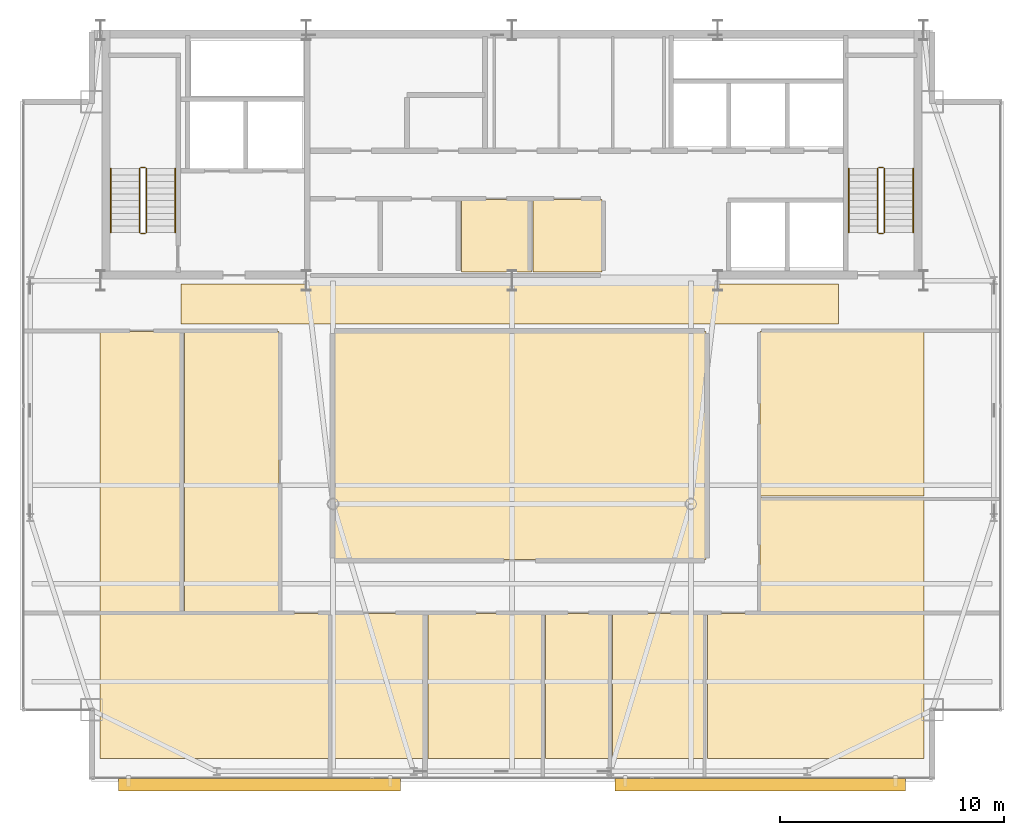
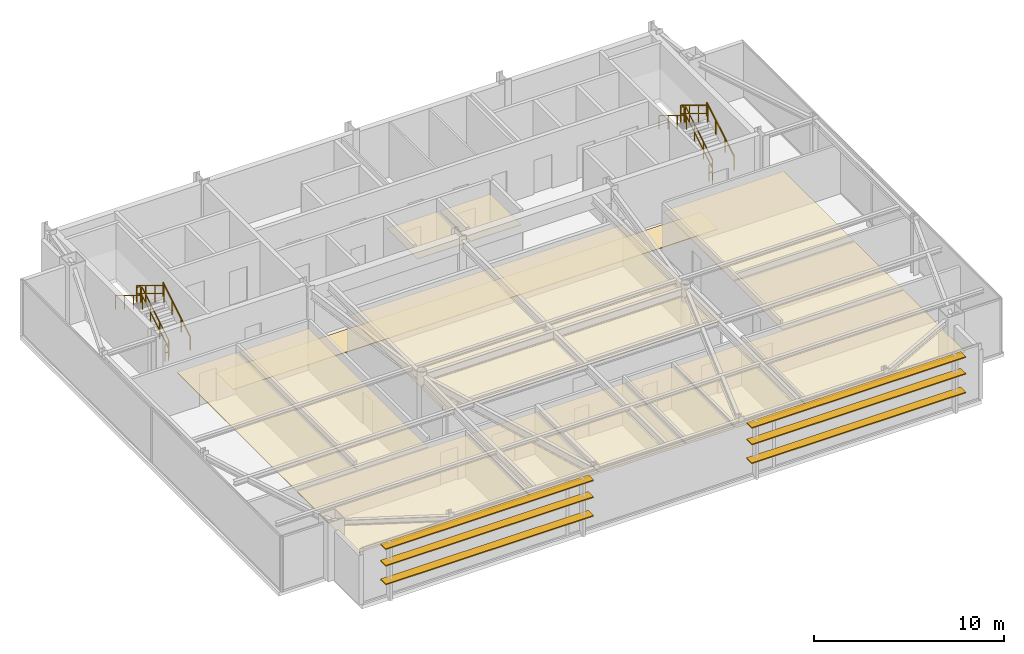
# One storey, part 24 of 24: 14 coverings, 12 railings, 6 shading devices.
"""IFC4 building model written with IfcOpenShell, lengths in metres."""

from ifc_helpers import new_model, si_unit, direction, frame, origin, origin_2d, place, context, subcontext, project, spatial, polyline, rectangle, outline, extrude, source, transform, mapped, material, layer, layer_set, type_object, type_shapes, element, save


model = new_model("IFC4")

# Units and contexts
model_context = context("Model", 3, precision=1e-05, world=origin(), true_north=direction((0.0, 1.0)))
body_context = subcontext(model_context, "Body", "Model", "MODEL_VIEW")
ifc_project = project(units=[si_unit("LENGTHUNIT", "METRE"), si_unit("AREAUNIT", "SQUARE_METRE"), si_unit("VOLUMEUNIT", "CUBIC_METRE"), si_unit("PLANEANGLEUNIT", "RADIAN"), si_unit("MASSUNIT", "GRAM", prefix="KILO")], contexts=[model_context])

# Site, building, storey
site_placement = place(None, origin())
site = spatial("IfcSite", under=ifc_project, at=site_placement, CompositionType="ELEMENT")
building_placement = place(site_placement, origin())
building = spatial("IfcBuilding", under=site, at=building_placement, Name="Varnel Quay Broadcast Tower", CompositionType="ELEMENT")
storey_placement = place(building_placement, frame((0.0, 0.0, 292.60009765625)))
storey = spatial("IfcBuildingStorey", under=building, at=storey_placement, Name="L73", CompositionType="ELEMENT", Elevation=292.60009765625)

# Coverings
ifc_material_1 = material(Name="Micro-Perforated Acoustic Ceiling Tile")
ifc_layer_1 = layer(ifc_material_1, 0.0400390625, Name="Micro-Perforated Acoustic Ceiling Tile")
ifc_layer_set_1 = layer_set([ifc_layer_1], Name="Micro-Perforated Acoustic Ceiling Tile")
covering_type_1 = type_object("IfcCoveringType", Name="Cov_AcousticCeiling", PredefinedType="CEILING", material=ifc_layer_set_1)
covering_1_placement = place(storey_placement, frame((0.0, 0.0, 2.579833984375)))
element("IfcCovering", 1, at=covering_1_placement, inside=storey, type_object=covering_type_1, Name="L73 Broadcast First-Aid & Quiet Room Acoustic Ceiling", PredefinedType="CEILING", context=body_context, shape_type="SweptSolid", body=[
    extrude(outline(polyline([(31.735107421875, 35.985107421875), (34.864990234375, 35.985107421875), (34.864990234375, 39.215087890625), (31.735107421875, 39.215087890625), (31.735107421875, 35.985107421875)])), origin(), (0.0, 0.0, 1.0), 0.0400390625),
])
covering_2_placement = place(storey_placement, frame((0.0, 0.0, 2.579833984375)))
element("IfcCovering", 2, at=covering_2_placement, inside=storey, type_object=covering_type_1, Name="L73 Zone Lighting Dimmer Room Acoustic Ceiling", PredefinedType="CEILING", context=body_context, shape_type="SweptSolid", body=[
    extrude(outline(polyline([(34.93505859375, 35.985107421875), (38.014892578125, 35.985107421875), (38.014892578125, 39.215087890625), (34.93505859375, 39.215087890625), (34.93505859375, 35.985107421875)])), origin(), (0.0, 0.0, 1.0), 0.0400390625),
])
covering_3_placement = place(storey_placement, frame((0.0, 0.0, 2.579833984375)))
element("IfcCovering", 3, at=covering_3_placement, inside=storey, type_object=covering_type_1, Name="L73 Editorial Huddle Room 1 Acoustic Ceiling", PredefinedType="CEILING", context=body_context, shape_type="SweptSolid", body=[
    extrude(outline(polyline([(15.5849609375, 14.22509765625), (25.93505859375, 14.22509765625), (25.93505859375, 20.705078125), (15.5849609375, 20.705078125), (15.5849609375, 14.22509765625)])), origin(), (0.0, 0.0, 1.0), 0.0400390625),
])
covering_4_placement = place(storey_placement, frame((0.0, 0.0, 2.579833984375)))
element("IfcCovering", 4, at=covering_4_placement, inside=storey, type_object=covering_type_1, Name="L73 Journalism Training Studio 2 Acoustic Ceiling", PredefinedType="CEILING", context=body_context, shape_type="SweptSolid", body=[
    extrude(outline(polyline([(26.0048828125, 14.22509765625), (30.1650390625, 14.22509765625), (30.1650390625, 20.705078125), (26.0048828125, 20.705078125), (26.0048828125, 14.22509765625)])), origin(), (0.0, 0.0, 1.0), 0.0400390625),
])
covering_5_placement = place(storey_placement, frame((0.0, 0.0, 2.579833984375)))
element("IfcCovering", 5, at=covering_5_placement, inside=storey, type_object=covering_type_1, Name="L73 Catering Kitchen 3 Acoustic Ceiling", PredefinedType="CEILING", context=body_context, shape_type="SweptSolid", body=[
    extrude(outline(polyline([(30.235107421875, 14.22509765625), (35.43505859375, 14.22509765625), (35.43505859375, 20.705078125), (30.235107421875, 20.705078125), (30.235107421875, 14.22509765625)])), origin(), (0.0, 0.0, 1.0), 0.0400390625),
])
covering_6_placement = place(storey_placement, frame((0.0, 0.0, 2.579833984375)))
element("IfcCovering", 6, at=covering_6_placement, inside=storey, type_object=covering_type_1, Name="L73 Bureau Office 4 Acoustic Ceiling", PredefinedType="CEILING", context=body_context, shape_type="SweptSolid", body=[
    extrude(outline(polyline([(35.5048828125, 14.22509765625), (38.43505859375, 14.22509765625), (38.43505859375, 20.705078125), (35.5048828125, 20.705078125), (35.5048828125, 14.22509765625)])), origin(), (0.0, 0.0, 1.0), 0.0400390625),
])
covering_7_placement = place(storey_placement, frame((0.0, 0.0, 2.579833984375)))
element("IfcCovering", 7, at=covering_7_placement, inside=storey, type_object=covering_type_1, Name="L73 Reading Lounge 5 Acoustic Ceiling", PredefinedType="CEILING", context=body_context, shape_type="SweptSolid", body=[
    extrude(outline(polyline([(38.5048828125, 14.22509765625), (42.675048828125, 14.22509765625), (42.675048828125, 20.705078125), (38.5048828125, 20.705078125), (38.5048828125, 14.22509765625)])), origin(), (0.0, 0.0, 1.0), 0.0400390625),
])
covering_8_placement = place(storey_placement, frame((0.0, 0.0, 2.579833984375)))
element("IfcCovering", 8, at=covering_8_placement, inside=storey, type_object=covering_type_1, Name="L73 Broadcast Seminar Room 6 Acoustic Ceiling", PredefinedType="CEILING", context=body_context, shape_type="SweptSolid", body=[
    extrude(outline(polyline([(42.7451171875, 14.22509765625), (52.4150390625, 14.22509765625), (52.4150390625, 20.705078125), (42.7451171875, 20.705078125), (42.7451171875, 14.22509765625)])), origin(), (0.0, 0.0, 1.0), 0.0400390625),
])
covering_9_placement = place(storey_placement, frame((0.0, 0.0, 2.579833984375)))
element("IfcCovering", 9, at=covering_9_placement, inside=storey, type_object=covering_type_1, Name="L73 Press Briefing Room 7 Acoustic Ceiling", PredefinedType="CEILING", context=body_context, shape_type="SweptSolid", body=[
    extrude(outline(polyline([(15.5849609375, 20.77490234375), (19.284912109375, 20.77490234375), (19.284912109375, 33.31494140625), (15.5849609375, 33.31494140625), (15.5849609375, 20.77490234375)])), origin(), (0.0, 0.0, 1.0), 0.0400390625),
])
covering_10_placement = place(storey_placement, frame((0.0, 0.0, 2.579833984375)))
element("IfcCovering", 10, at=covering_10_placement, inside=storey, type_object=covering_type_1, Name="L73 Editorial Huddle Room 8 Acoustic Ceiling", PredefinedType="CEILING", context=body_context, shape_type="SweptSolid", body=[
    extrude(outline(polyline([(19.35498046875, 20.77490234375), (23.5849609375, 20.77490234375), (23.5849609375, 33.31494140625), (19.35498046875, 33.31494140625), (19.35498046875, 20.77490234375)])), origin(), (0.0, 0.0, 1.0), 0.0400390625),
])
covering_11_placement = place(storey_placement, frame((0.0, 0.0, 2.579833984375)))
element("IfcCovering", 11, at=covering_11_placement, inside=storey, type_object=covering_type_1, Name="L73 Journalism Training Studio 9 Acoustic Ceiling", PredefinedType="CEILING", context=body_context, shape_type="SweptSolid", body=[
    extrude(outline(polyline([(26.0048828125, 23.125), (42.675048828125, 23.125), (42.675048828125, 33.31494140625), (26.0048828125, 33.31494140625), (26.0048828125, 23.125)])), origin(), (0.0, 0.0, 1.0), 0.0400390625),
])
covering_12_placement = place(storey_placement, frame((0.0, 0.0, 2.579833984375)))
element("IfcCovering", 12, at=covering_12_placement, inside=storey, type_object=covering_type_1, Name="L73 Catering Kitchen 10 Acoustic Ceiling", PredefinedType="CEILING", context=body_context, shape_type="SweptSolid", body=[
    extrude(outline(polyline([(45.094970703125, 20.77490234375), (52.4150390625, 20.77490234375), (52.4150390625, 25.89501953125), (45.094970703125, 25.89501953125), (45.094970703125, 20.77490234375)])), origin(), (0.0, 0.0, 1.0), 0.0400390625),
])
covering_13_placement = place(storey_placement, frame((0.0, 0.0, 2.579833984375)))
element("IfcCovering", 13, at=covering_13_placement, inside=storey, type_object=covering_type_1, Name="L73 Bureau Office 11 Acoustic Ceiling", PredefinedType="CEILING", context=body_context, shape_type="SweptSolid", body=[
    extrude(outline(polyline([(45.094970703125, 25.965087890625), (52.4150390625, 25.965087890625), (52.4150390625, 33.31494140625), (45.094970703125, 33.31494140625), (45.094970703125, 25.965087890625)])), origin(), (0.0, 0.0, 1.0), 0.0400390625),
])
ifc_material_2 = material(Name="Polished Terrazzo & Broadcast Raised Flooring")
ifc_layer_2 = layer(ifc_material_2, 0.0400390625, Name="Polished Terrazzo & Broadcast Raised Flooring")
ifc_layer_set_2 = layer_set([ifc_layer_2], Name="Polished Terrazzo & Broadcast Raised Flooring")
covering_type_2 = type_object("IfcCoveringType", Name="Cov_TerrazzoFloor", PredefinedType="FLOORING", material=ifc_layer_set_2)
covering_14_placement = place(storey_placement, origin())
element("IfcCovering", 14, at=covering_14_placement, inside=storey, type_object=covering_type_2, Name="L73 Corridor Terrazzo Flooring", PredefinedType="FLOORING", context=body_context, shape_type="SweptSolid", body=[
    extrude(outline(polyline([(19.199951171875, 33.64990234375), (48.60009765625, 33.64990234375), (48.60009765625, 35.449951171875), (19.199951171875, 35.449951171875), (19.199951171875, 33.64990234375)])), origin(), (0.0, 0.0, 1.0), 0.039794921875),
])

# Railings
ifc_material_3 = material(Name="Painted Steel Guard and Handrail CSA G40.21 350W", Category="steel")
railing_type_1 = type_object("IfcRailingType", Name="Rail_StairGuard1100", PredefinedType="GUARDRAIL", material=ifc_material_3)
railing_1_placement = place(storey_placement, frame((17.64990234375, 37.75, 0.172607421875)))
element("IfcRailing", 15, at=railing_1_placement, inside=storey, type_object=railing_type_1, Name="L73 ST-01 stair guard 1", PredefinedType="GUARDRAIL", context=body_context, shape_type="SweptSolid", body=[
    extrude(rectangle(XDim=0.048095703125, YDim=0.048095703125, at=origin_2d()), frame((0.0, 0.0, 1.076171875), z_axis=(0.0, 0.855202751398, 0.518293598264), x_axis=(-1.0, 0.0, 0.0)), (0.0, 0.0, 1.0), 3.332763671875),
    extrude(rectangle(XDim=0.048095703125, YDim=0.048095703125, at=origin_2d()), frame((0.0, 0.0, 0.550048828125), z_axis=(0.0, 0.855202751398, 0.518293598264), x_axis=(-1.0, 0.0, 0.0)), (0.0, 0.0, 1.0), 3.332763671875),
    extrude(rectangle(XDim=0.0419921875, YDim=0.0419921875, at=origin_2d()), origin(), (0.0, 0.0, 1.0), 1.052001953125),
    extrude(rectangle(XDim=0.0419921875, YDim=0.0419921875, at=origin_2d()), frame((0.0, 0.949951171875, 0.57568359375)), (0.0, 0.0, 1.0), 1.052001953125),
    extrude(rectangle(XDim=0.0419921875, YDim=0.0419921875, at=origin_2d()), frame((0.0, 1.900146484375, 1.151611328125)), (0.0, 0.0, 1.0), 1.052001953125),
    extrude(rectangle(XDim=0.0419921875, YDim=0.0419921875, at=origin_2d()), frame((0.0, 2.85009765625, 1.727294921875)), (0.0, 0.0, 1.0), 1.052001953125),
])
railing_2_placement = place(storey_placement, frame((17.60009765625, 40.64990234375, 1.89990234375)))
element("IfcRailing", 16, at=railing_2_placement, inside=storey, type_object=railing_type_1, Name="L73 ST-01 stair guard 2", PredefinedType="GUARDRAIL", context=body_context, shape_type="SweptSolid", body=[
    extrude(rectangle(XDim=0.048095703125, YDim=0.048095703125, at=origin_2d()), frame((0.0, 0.0, 1.076171875), z_axis=(-1.0, 0.0, 0.0), x_axis=(0.0, -1.0, 0.0)), (0.0, 0.0, 1.0), 0.2001953125),
    extrude(rectangle(XDim=0.048095703125, YDim=0.048095703125, at=origin_2d()), frame((0.0, 0.0, 0.550048828125), z_axis=(-1.0, 0.0, 0.0), x_axis=(0.0, -1.0, 0.0)), (0.0, 0.0, 1.0), 0.2001953125),
    extrude(rectangle(XDim=0.0419921875, YDim=0.0419921875, at=origin_2d()), origin(), (0.0, 0.0, 1.0), 1.052001953125),
    extrude(rectangle(XDim=0.0419921875, YDim=0.0419921875, at=origin_2d()), frame((-0.2001953125, 0.0, 0.0)), (0.0, 0.0, 1.0), 1.052001953125),
])
railing_3_placement = place(storey_placement, frame((17.35009765625, 40.60009765625, 2.072509765625)))
element("IfcRailing", 17, at=railing_3_placement, inside=storey, type_object=railing_type_1, Name="L73 ST-01 stair guard 3", PredefinedType="GUARDRAIL", context=body_context, shape_type="SweptSolid", body=[
    extrude(rectangle(XDim=0.048095703125, YDim=0.048095703125, at=origin_2d()), frame((0.0, 0.0, 1.076171875), z_axis=(0.0, -0.855202751398, 0.518293598264), x_axis=(1.0, 0.0, 0.0)), (0.0, 0.0, 1.0), 3.332763671875),
    extrude(rectangle(XDim=0.048095703125, YDim=0.048095703125, at=origin_2d()), frame((0.0, 0.0, 0.550048828125), z_axis=(0.0, -0.855202751398, 0.518293598264), x_axis=(1.0, 0.0, 0.0)), (0.0, 0.0, 1.0), 3.332763671875),
    extrude(rectangle(XDim=0.0419921875, YDim=0.0419921875, at=origin_2d()), origin(), (0.0, 0.0, 1.0), 1.052001953125),
    extrude(rectangle(XDim=0.0419921875, YDim=0.0419921875, at=origin_2d()), frame((0.0, -0.949951171875, 0.57568359375)), (0.0, 0.0, 1.0), 1.052001953125),
    extrude(rectangle(XDim=0.0419921875, YDim=0.0419921875, at=origin_2d()), frame((0.0, -1.900146484375, 1.151611328125)), (0.0, 0.0, 1.0), 1.052001953125),
    extrude(rectangle(XDim=0.0419921875, YDim=0.0419921875, at=origin_2d()), frame((0.0, -2.85009765625, 1.727294921875)), (0.0, 0.0, 1.0), 1.052001953125),
])
railing_4_placement = place(storey_placement, frame((17.60009765625, 37.699951171875, 0.0)))
element("IfcRailing", 18, at=railing_4_placement, inside=storey, type_object=railing_type_1, Name="L73 ST-01 stair guard 4", PredefinedType="GUARDRAIL", context=body_context, shape_type="SweptSolid", body=[
    extrude(rectangle(XDim=0.048095703125, YDim=0.048095703125, at=origin_2d()), frame((0.0, 0.0, 1.076171875), z_axis=(-1.0, 0.0, 0.0), x_axis=(0.0, -1.0, 0.0)), (0.0, 0.0, 1.0), 0.2001953125),
    extrude(rectangle(XDim=0.048095703125, YDim=0.048095703125, at=origin_2d()), frame((0.0, 0.0, 0.550048828125), z_axis=(-1.0, 0.0, 0.0), x_axis=(0.0, -1.0, 0.0)), (0.0, 0.0, 1.0), 0.2001953125),
    extrude(rectangle(XDim=0.0419921875, YDim=0.0419921875, at=origin_2d()), origin(), (0.0, 0.0, 1.0), 1.052001953125),
    extrude(rectangle(XDim=0.0419921875, YDim=0.0419921875, at=origin_2d()), frame((-0.2001953125, 0.0, 0.0)), (0.0, 0.0, 1.0), 1.052001953125),
])
railing_5_placement = place(storey_placement, frame((50.64990234375, 37.75, 0.172607421875)))
element("IfcRailing", 19, at=railing_5_placement, inside=storey, type_object=railing_type_1, Name="L73 ST-02 stair guard 1", PredefinedType="GUARDRAIL", context=body_context, shape_type="SweptSolid", body=[
    extrude(rectangle(XDim=0.048095703125, YDim=0.048095703125, at=origin_2d()), frame((0.0, 0.0, 1.076171875), z_axis=(0.0, 0.855202751398, 0.518293598264), x_axis=(-1.0, 0.0, 0.0)), (0.0, 0.0, 1.0), 3.332763671875),
    extrude(rectangle(XDim=0.048095703125, YDim=0.048095703125, at=origin_2d()), frame((0.0, 0.0, 0.550048828125), z_axis=(0.0, 0.855202751398, 0.518293598264), x_axis=(-1.0, 0.0, 0.0)), (0.0, 0.0, 1.0), 3.332763671875),
    extrude(rectangle(XDim=0.0419921875, YDim=0.0419921875, at=origin_2d()), origin(), (0.0, 0.0, 1.0), 1.052001953125),
    extrude(rectangle(XDim=0.0419921875, YDim=0.0419921875, at=origin_2d()), frame((0.0, 0.949951171875, 0.57568359375)), (0.0, 0.0, 1.0), 1.052001953125),
    extrude(rectangle(XDim=0.0419921875, YDim=0.0419921875, at=origin_2d()), frame((0.0, 1.900146484375, 1.151611328125)), (0.0, 0.0, 1.0), 1.052001953125),
    extrude(rectangle(XDim=0.0419921875, YDim=0.0419921875, at=origin_2d()), frame((0.0, 2.85009765625, 1.727294921875)), (0.0, 0.0, 1.0), 1.052001953125),
])
railing_6_placement = place(storey_placement, frame((50.60009765625, 40.64990234375, 1.89990234375)))
element("IfcRailing", 20, at=railing_6_placement, inside=storey, type_object=railing_type_1, Name="L73 ST-02 stair guard 2", PredefinedType="GUARDRAIL", context=body_context, shape_type="SweptSolid", body=[
    extrude(rectangle(XDim=0.048095703125, YDim=0.048095703125, at=origin_2d()), frame((0.0, 0.0, 1.076171875), z_axis=(-1.0, 0.0, 0.0), x_axis=(0.0, -1.0, 0.0)), (0.0, 0.0, 1.0), 0.2001953125),
    extrude(rectangle(XDim=0.048095703125, YDim=0.048095703125, at=origin_2d()), frame((0.0, 0.0, 0.550048828125), z_axis=(-1.0, 0.0, 0.0), x_axis=(0.0, -1.0, 0.0)), (0.0, 0.0, 1.0), 0.2001953125),
    extrude(rectangle(XDim=0.0419921875, YDim=0.0419921875, at=origin_2d()), origin(), (0.0, 0.0, 1.0), 1.052001953125),
    extrude(rectangle(XDim=0.0419921875, YDim=0.0419921875, at=origin_2d()), frame((-0.2001953125, 0.0, 0.0)), (0.0, 0.0, 1.0), 1.052001953125),
])
railing_7_placement = place(storey_placement, frame((50.35009765625, 40.60009765625, 2.072509765625)))
element("IfcRailing", 21, at=railing_7_placement, inside=storey, type_object=railing_type_1, Name="L73 ST-02 stair guard 3", PredefinedType="GUARDRAIL", context=body_context, shape_type="SweptSolid", body=[
    extrude(rectangle(XDim=0.048095703125, YDim=0.048095703125, at=origin_2d()), frame((0.0, 0.0, 1.076171875), z_axis=(0.0, -0.855202751398, 0.518293598264), x_axis=(1.0, 0.0, 0.0)), (0.0, 0.0, 1.0), 3.332763671875),
    extrude(rectangle(XDim=0.048095703125, YDim=0.048095703125, at=origin_2d()), frame((0.0, 0.0, 0.550048828125), z_axis=(0.0, -0.855202751398, 0.518293598264), x_axis=(1.0, 0.0, 0.0)), (0.0, 0.0, 1.0), 3.332763671875),
    extrude(rectangle(XDim=0.0419921875, YDim=0.0419921875, at=origin_2d()), origin(), (0.0, 0.0, 1.0), 1.052001953125),
    extrude(rectangle(XDim=0.0419921875, YDim=0.0419921875, at=origin_2d()), frame((0.0, -0.949951171875, 0.57568359375)), (0.0, 0.0, 1.0), 1.052001953125),
    extrude(rectangle(XDim=0.0419921875, YDim=0.0419921875, at=origin_2d()), frame((0.0, -1.900146484375, 1.151611328125)), (0.0, 0.0, 1.0), 1.052001953125),
    extrude(rectangle(XDim=0.0419921875, YDim=0.0419921875, at=origin_2d()), frame((0.0, -2.85009765625, 1.727294921875)), (0.0, 0.0, 1.0), 1.052001953125),
])
railing_8_placement = place(storey_placement, frame((50.60009765625, 37.699951171875, 0.0)))
element("IfcRailing", 22, at=railing_8_placement, inside=storey, type_object=railing_type_1, Name="L73 ST-02 stair guard 4", PredefinedType="GUARDRAIL", context=body_context, shape_type="SweptSolid", body=[
    extrude(rectangle(XDim=0.048095703125, YDim=0.048095703125, at=origin_2d()), frame((0.0, 0.0, 1.076171875), z_axis=(-1.0, 0.0, 0.0), x_axis=(0.0, -1.0, 0.0)), (0.0, 0.0, 1.0), 0.2001953125),
    extrude(rectangle(XDim=0.048095703125, YDim=0.048095703125, at=origin_2d()), frame((0.0, 0.0, 0.550048828125), z_axis=(-1.0, 0.0, 0.0), x_axis=(0.0, -1.0, 0.0)), (0.0, 0.0, 1.0), 0.2001953125),
    extrude(rectangle(XDim=0.0419921875, YDim=0.0419921875, at=origin_2d()), origin(), (0.0, 0.0, 1.0), 1.052001953125),
    extrude(rectangle(XDim=0.0419921875, YDim=0.0419921875, at=origin_2d()), frame((-0.2001953125, 0.0, 0.0)), (0.0, 0.0, 1.0), 1.052001953125),
])
railing_type_2 = type_object("IfcRailingType", Name="Rail_StairHandrail900", PredefinedType="HANDRAIL", material=ifc_material_3)
railing_9_placement = place(storey_placement, frame((18.949951171875, 37.75, 0.172607421875)))
element("IfcRailing", 23, at=railing_9_placement, inside=storey, type_object=railing_type_2, Name="L73 ST-01 stair handrail 1", PredefinedType="HANDRAIL", context=body_context, shape_type="SweptSolid", body=[
    extrude(rectangle(XDim=0.048095703125, YDim=0.048095703125, at=origin_2d()), frame((0.0, 0.0, 0.8759765625), z_axis=(0.0, 0.855202751398, 0.518293598264), x_axis=(-1.0, 0.0, 0.0)), (0.0, 0.0, 1.0), 3.332763671875),
    extrude(rectangle(XDim=0.0419921875, YDim=0.0419921875, at=origin_2d()), origin(), (0.0, 0.0, 1.0), 0.851806640625),
    extrude(rectangle(XDim=0.0419921875, YDim=0.0419921875, at=origin_2d()), frame((0.0, 0.949951171875, 0.57568359375)), (0.0, 0.0, 1.0), 0.851806640625),
    extrude(rectangle(XDim=0.0419921875, YDim=0.0419921875, at=origin_2d()), frame((0.0, 1.900146484375, 1.151611328125)), (0.0, 0.0, 1.0), 0.851806640625),
    extrude(rectangle(XDim=0.0419921875, YDim=0.0419921875, at=origin_2d()), frame((0.0, 2.85009765625, 1.727294921875)), (0.0, 0.0, 1.0), 0.851806640625),
])
railing_10_placement = place(storey_placement, frame((16.050048828125, 40.60009765625, 2.072509765625)))
element("IfcRailing", 24, at=railing_10_placement, inside=storey, type_object=railing_type_2, Name="L73 ST-01 stair handrail 2", PredefinedType="HANDRAIL", context=body_context, shape_type="SweptSolid", body=[
    extrude(rectangle(XDim=0.048095703125, YDim=0.048095703125, at=origin_2d()), frame((0.0, 0.0, 0.8759765625), z_axis=(0.0, -0.855202751398, 0.518293598264), x_axis=(1.0, 0.0, 0.0)), (0.0, 0.0, 1.0), 3.332763671875),
    extrude(rectangle(XDim=0.0419921875, YDim=0.0419921875, at=origin_2d()), origin(), (0.0, 0.0, 1.0), 0.851806640625),
    extrude(rectangle(XDim=0.0419921875, YDim=0.0419921875, at=origin_2d()), frame((0.0, -0.949951171875, 0.57568359375)), (0.0, 0.0, 1.0), 0.851806640625),
    extrude(rectangle(XDim=0.0419921875, YDim=0.0419921875, at=origin_2d()), frame((0.0, -1.900146484375, 1.151611328125)), (0.0, 0.0, 1.0), 0.851806640625),
    extrude(rectangle(XDim=0.0419921875, YDim=0.0419921875, at=origin_2d()), frame((0.0, -2.85009765625, 1.727294921875)), (0.0, 0.0, 1.0), 0.851806640625),
])
railing_11_placement = place(storey_placement, frame((51.949951171875, 37.75, 0.172607421875)))
element("IfcRailing", 25, at=railing_11_placement, inside=storey, type_object=railing_type_2, Name="L73 ST-02 stair handrail 1", PredefinedType="HANDRAIL", context=body_context, shape_type="SweptSolid", body=[
    extrude(rectangle(XDim=0.048095703125, YDim=0.048095703125, at=origin_2d()), frame((0.0, 0.0, 0.8759765625), z_axis=(0.0, 0.855202751398, 0.518293598264), x_axis=(-1.0, 0.0, 0.0)), (0.0, 0.0, 1.0), 3.332763671875),
    extrude(rectangle(XDim=0.0419921875, YDim=0.0419921875, at=origin_2d()), origin(), (0.0, 0.0, 1.0), 0.851806640625),
    extrude(rectangle(XDim=0.0419921875, YDim=0.0419921875, at=origin_2d()), frame((0.0, 0.949951171875, 0.57568359375)), (0.0, 0.0, 1.0), 0.851806640625),
    extrude(rectangle(XDim=0.0419921875, YDim=0.0419921875, at=origin_2d()), frame((0.0, 1.900146484375, 1.151611328125)), (0.0, 0.0, 1.0), 0.851806640625),
    extrude(rectangle(XDim=0.0419921875, YDim=0.0419921875, at=origin_2d()), frame((0.0, 2.85009765625, 1.727294921875)), (0.0, 0.0, 1.0), 0.851806640625),
])
railing_12_placement = place(storey_placement, frame((49.050048828125, 40.60009765625, 2.072509765625)))
element("IfcRailing", 26, at=railing_12_placement, inside=storey, type_object=railing_type_2, Name="L73 ST-02 stair handrail 2", PredefinedType="HANDRAIL", context=body_context, shape_type="SweptSolid", body=[
    extrude(rectangle(XDim=0.048095703125, YDim=0.048095703125, at=origin_2d()), frame((0.0, 0.0, 0.8759765625), z_axis=(0.0, -0.855202751398, 0.518293598264), x_axis=(1.0, 0.0, 0.0)), (0.0, 0.0, 1.0), 3.332763671875),
    extrude(rectangle(XDim=0.0419921875, YDim=0.0419921875, at=origin_2d()), origin(), (0.0, 0.0, 1.0), 0.851806640625),
    extrude(rectangle(XDim=0.0419921875, YDim=0.0419921875, at=origin_2d()), frame((0.0, -0.949951171875, 0.57568359375)), (0.0, 0.0, 1.0), 0.851806640625),
    extrude(rectangle(XDim=0.0419921875, YDim=0.0419921875, at=origin_2d()), frame((0.0, -1.900146484375, 1.151611328125)), (0.0, 0.0, 1.0), 0.851806640625),
    extrude(rectangle(XDim=0.0419921875, YDim=0.0419921875, at=origin_2d()), frame((0.0, -2.85009765625, 1.727294921875)), (0.0, 0.0, 1.0), 0.851806640625),
])

# Shading devices
ifc_material_4 = material(Name="Bronze-Terracotta Extruded Ceramic Blade", Category="masonry")
ifc_layer_3 = layer(ifc_material_4, 0.06494140625, Name="Bronze-Terracotta Extruded Ceramic Blade")
ifc_layer_set_3 = layer_set([ifc_layer_3], Name="Bronze-Terracotta Extruded Ceramic Blade")
shading_device_type = type_object("IfcShadingDeviceType", Name="Shade_LouvreBlade550", PredefinedType="JALOUSIE", material=ifc_layer_set_3)
shared_shape_1 = source(origin(), body_context, "Body", "SweptSolid", [
    extrude(rectangle(XDim=12.987060546875, YDim=0.550048828125, at=origin_2d()), origin(), (0.0, 0.0, 1.0), 0.06494140625),
])
for number, where, z_axis, x_axis, name in (
    (27, (45.10595703125, 13.06005859375, 1.117431640625), (0.0, 0.0, 1.0), (1.0, 0.0, 0.0), "L73 Lobe 2 Horizontal Louvre Blade 1"),
    (28, (45.10595703125, 13.06005859375, 2.3173828125), (0.0, 0.0, 1.0), (1.0, 0.0, 0.0), "L73 Lobe 2 Horizontal Louvre Blade 2"),
    (29, (45.10595703125, 13.06005859375, 3.387451171875), (0.0, 0.0, 1.0), (1.0, 0.0, 0.0), "L73 Lobe 2 Horizontal Louvre Blade 3"),
):
    element("IfcShadingDevice", number, at=place(storey_placement, frame(where, z_axis=z_axis, x_axis=x_axis)), inside=storey, type_object=shading_device_type, Name=name, PredefinedType="JALOUSIE", context=body_context, shape_type="MappedRepresentation", body=[
        mapped(shared_shape_1, transform((0.0, 0.0, 0.0), x_axis=(1.0, 0.0, 0.0), y_axis=(0.0, 1.0, 0.0), z_axis=(0.0, 0.0, 1.0), scale=1.0)),
    ])
shared_shape_2 = source(origin(), body_context, "Body", "SweptSolid", [
    extrude(rectangle(XDim=12.613037109375, YDim=0.550048828125, at=origin_2d()), origin(), (0.0, 0.0, 1.0), 0.06494140625),
])
type_shapes(shading_device_type, [shared_shape_1, shared_shape_2])
for number, where, z_axis, x_axis, name in (
    (30, (22.7060546875, 13.06005859375, 1.117431640625), (0.0, 0.0, 1.0), (1.0, 0.0, 0.0), "L73 Lobe 1 Horizontal Louvre Blade 1"),
    (31, (22.7060546875, 13.06005859375, 2.3173828125), (0.0, 0.0, 1.0), (1.0, 0.0, 0.0), "L73 Lobe 1 Horizontal Louvre Blade 2"),
    (32, (22.7060546875, 13.06005859375, 3.387451171875), (0.0, 0.0, 1.0), (1.0, 0.0, 0.0), "L73 Lobe 1 Horizontal Louvre Blade 3"),
):
    element("IfcShadingDevice", number, at=place(storey_placement, frame(where, z_axis=z_axis, x_axis=x_axis)), inside=storey, type_object=shading_device_type, Name=name, PredefinedType="JALOUSIE", context=body_context, shape_type="MappedRepresentation", body=[
        mapped(shared_shape_2, transform((0.0, 0.0, 0.0), x_axis=(1.0, 0.0, 0.0), y_axis=(0.0, 1.0, 0.0), z_axis=(0.0, 0.0, 1.0), scale=1.0)),
    ])

save(model, "model.ifc")
